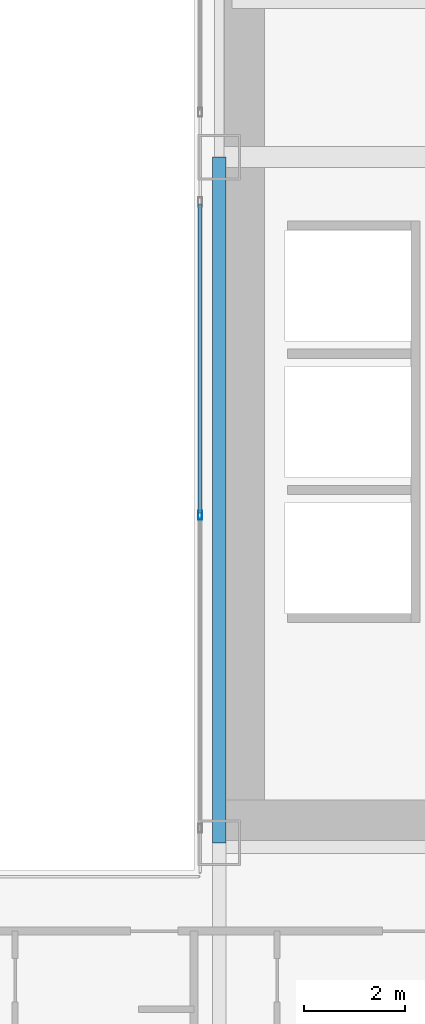
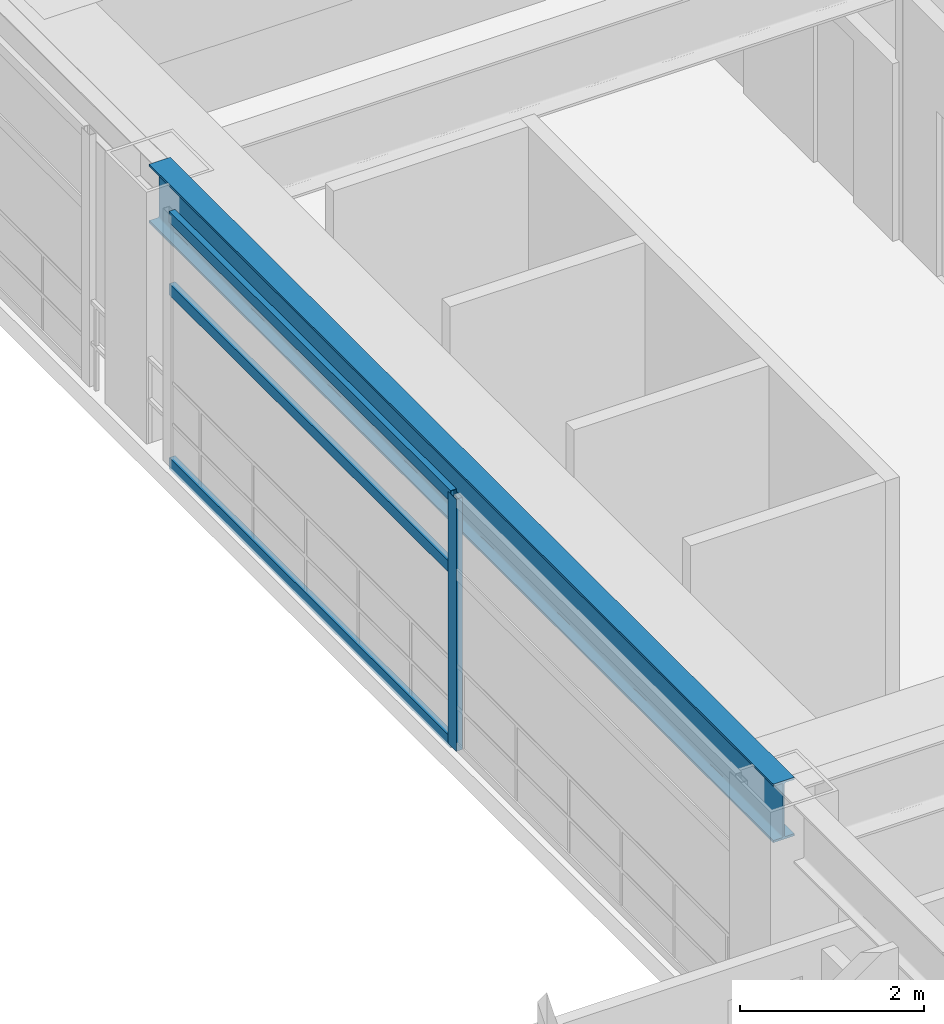
# One storey, part 15 of 41: 4 members, 1 beam, 1 element without a shape of its own.
"""IFC4 building model written with IfcOpenShell, lengths in metres."""

from ifc_helpers import new_model, si_unit, direction, frame, origin, origin_2d, place, context, subcontext, project, spatial, hollow_rectangle, i_section, extrude, source, transform, mapped, material, layer, layer_set, material_profile, profile_set, type_object, element, aggregate, save


model = new_model("IFC4")

# Units and contexts
model_context = context("Model", 3, precision=1e-05, world=origin(), true_north=direction((0.0, 1.0)))
body_context = subcontext(model_context, "Body", "Model", "MODEL_VIEW")
ifc_project = project(units=[si_unit("LENGTHUNIT", "METRE"), si_unit("AREAUNIT", "SQUARE_METRE"), si_unit("VOLUMEUNIT", "CUBIC_METRE"), si_unit("PLANEANGLEUNIT", "RADIAN"), si_unit("MASSUNIT", "GRAM", prefix="KILO")], contexts=[model_context])

# Site, building, storey
site_placement = place(None, origin())
site = spatial("IfcSite", under=ifc_project, at=site_placement, CompositionType="ELEMENT")
building_placement = place(site_placement, origin())
building = spatial("IfcBuilding", under=site, at=building_placement, Name="Ocotamira Hotel", CompositionType="ELEMENT")
storey_placement = place(building_placement, frame((0.0, 0.0, 67.199951171875)))
storey = spatial("IfcBuildingStorey", under=building, at=storey_placement, Name="L16", CompositionType="ELEMENT", Elevation=67.199951171875)

# Beam
ifc_material_1 = material(Name="Steel ASTM A992 Grade 50", Category="steel")
ifc_material_profile_1 = material_profile(ifc_material_1, i_section(OverallWidth=0.26611328125, OverallDepth=0.779052734375, WebThickness=0.0166015625, FlangeThickness=0.030029296875, FilletRadius=0.01806640625, at=origin_2d()), Name="W30X148")
ifc_profile_set_1 = profile_set([ifc_material_profile_1], Name="Steel ASTM A992 Grade 50")
beam_type = type_object("IfcBeamType", Name="BM-GIRD-W30X148", PredefinedType="BEAM", material=ifc_profile_set_1)
shared_shape_1 = source(origin(), body_context, "Body", "SweptSolid", [
    extrude(i_section(OverallWidth=0.26611328125, OverallDepth=0.779052734375, WebThickness=0.0166015625, FlangeThickness=0.030029296875, FilletRadius=0.01806640625, at=origin_2d()), origin(), (0.0, 0.0, 1.0), 13.599853515625),
])
beam_placement = place(storey_placement, frame((40.5, 14.550048828125, 2.96044921875), z_axis=(0.0, 1.0, 0.0), x_axis=(-1.0, 0.0, 0.0)))
element("IfcBeam", 1, at=beam_placement, inside=storey, type_object=beam_type, Name="L16 Beam X40.5 Y14.55-28.15", PredefinedType="BEAM", context=body_context, shape_type="MappedRepresentation", body=[
    mapped(shared_shape_1, transform((0.0, 0.0, 0.0), scale=1.0)),
])

# Curtain wall, members
ifc_material_2 = material(Name="Anodised pale-metal aluminium and solar glass", Category="aluminium")
ifc_layer = layer(ifc_material_2, 0.159912109375)
ifc_layer_set = layer_set([ifc_layer], Name="Anodised pale-metal aluminium and solar glass")
curtain_wall_type = type_object("IfcCurtainWallType", Name="CW-SYS6-ATR", PredefinedType="NOTDEFINED", material=ifc_layer_set)
curtain_wall_placement = place(storey_placement, origin())
curtain_wall = element("IfcCurtainWall", 2, at=curtain_wall_placement, inside=storey, type_object=curtain_wall_type, Name="L16 Curtain Wall CW-6 CW-L16-ATRE1", PredefinedType="NOTDEFINED")
ifc_material_3 = material(Name="Anodised pale-metal aluminium 6063-T6", Category="aluminium")
ifc_material_profile_2 = material_profile(ifc_material_3, hollow_rectangle(XDim=0.080078125, YDim=0.179931640625, WallThickness=0.006103515625, at=origin_2d()), Name="HSS180X80X6")
ifc_profile_set_2 = profile_set([ifc_material_profile_2], Name="Anodised pale-metal aluminium 6063-T6")
member_type_1 = type_object("IfcMemberType", Name="CWM-180X75", PredefinedType="MULLION", material=ifc_profile_set_2)
shared_shape_2 = source(origin(), body_context, "Body", "SweptSolid", [
    extrude(hollow_rectangle(XDim=0.080078125, YDim=0.179931640625, WallThickness=0.006103515625, at=origin_2d()), origin(), (0.0, 0.0, 1.0), 3.35009765625),
])
member_1_placement = place(storey_placement, frame((40.1201171875, 21.050048828125, 0.0), z_axis=(0.0, 0.0, 1.0), x_axis=(-1.0, 0.0, 0.0)))
member_1 = element("IfcMember", 3, at=member_1_placement, type_object=member_type_1, Name="CW-6 mullion 2", PredefinedType="MULLION", context=body_context, shape_type="MappedRepresentation", body=[
    mapped(shared_shape_2, transform((0.0, 0.0, 0.0), scale=1.0)),
])
ifc_material_profile_3 = material_profile(ifc_material_3, hollow_rectangle(XDim=0.074951171875, YDim=0.14990234375, WallThickness=0.006103515625, at=origin_2d()), Name="HSS150X75X6")
ifc_profile_set_3 = profile_set([ifc_material_profile_3], Name="Anodised pale-metal aluminium 6063-T6")
member_type_2 = type_object("IfcMemberType", Name="CWT-150X75", PredefinedType="USERDEFINED", material=ifc_profile_set_3)
shared_shape_3 = source(origin(), body_context, "Body", "SweptSolid", [
    extrude(hollow_rectangle(XDim=0.074951171875, YDim=0.14990234375, WallThickness=0.006103515625, at=origin_2d()), origin(), (0.0, 0.0, 1.0), 6.1298828125),
])
member_2_placement = place(storey_placement, frame((40.1201171875, 21.090087890625, 0.03759765625), z_axis=(0.0, 1.0, 0.0), x_axis=(-1.0, 0.0, 0.0)))
member_2 = element("IfcMember", 4, at=member_2_placement, type_object=member_type_2, Name="CW-6 transom 2.1", ObjectType="TRANSOM", PredefinedType="USERDEFINED", context=body_context, shape_type="MappedRepresentation", body=[
    mapped(shared_shape_3, transform((0.0, 0.0, 0.0), scale=1.0)),
])
member_3_placement = place(storey_placement, frame((40.1201171875, 21.090087890625, 2.35009765625), z_axis=(0.0, 1.0, 0.0), x_axis=(-1.0, 0.0, 0.0)))
member_3 = element("IfcMember", 5, at=member_3_placement, type_object=member_type_2, Name="CW-6 transom 2.2", ObjectType="TRANSOM", PredefinedType="USERDEFINED", context=body_context, shape_type="MappedRepresentation", body=[
    mapped(shared_shape_3, transform((0.0, 0.0, 0.0), scale=1.0)),
])
member_4_placement = place(storey_placement, frame((40.1201171875, 21.090087890625, 3.3125), z_axis=(0.0, 1.0, 0.0), x_axis=(-1.0, 0.0, 0.0)))
member_4 = element("IfcMember", 6, at=member_4_placement, type_object=member_type_2, Name="CW-6 transom 2.3", ObjectType="TRANSOM", PredefinedType="USERDEFINED", context=body_context, shape_type="MappedRepresentation", body=[
    mapped(shared_shape_3, transform((0.0, 0.0, 0.0), scale=1.0)),
])
aggregate(curtain_wall, [member_1, member_2, member_3, member_4])

save(model, "model.ifc")
